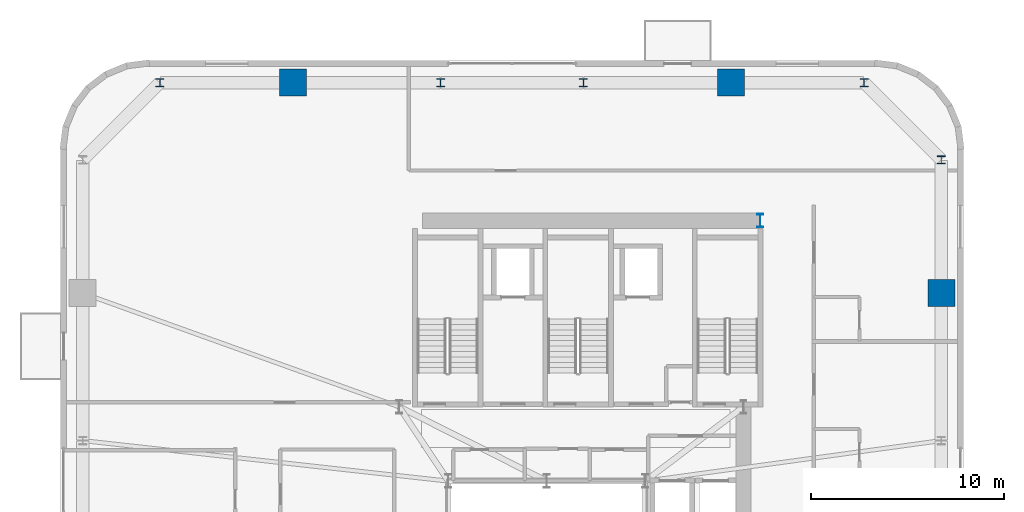
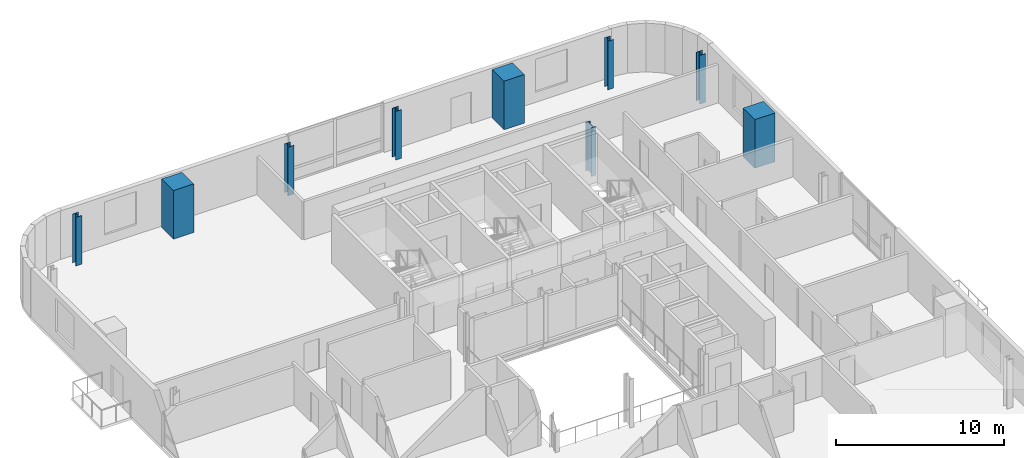
# One storey, part 2 of 16: 9 columns.
"""IFC4 building model written with IfcOpenShell, lengths in metres."""

from ifc_helpers import new_model, si_unit, direction, frame, origin, origin_2d, place, context, subcontext, project, spatial, rectangle, i_section, extrude, source, transform, mapped, material, material_profile, profile_set, type_object, element, save


model = new_model("IFC4")

# Units and contexts
model_context = context("Model", 3, precision=1e-05, world=origin(), true_north=direction((0.0, 1.0)))
body_context = subcontext(model_context, "Body", "Model", "MODEL_VIEW")
ifc_project = project(units=[si_unit("LENGTHUNIT", "METRE"), si_unit("AREAUNIT", "SQUARE_METRE"), si_unit("VOLUMEUNIT", "CUBIC_METRE"), si_unit("PLANEANGLEUNIT", "RADIAN"), si_unit("MASSUNIT", "GRAM", prefix="KILO")], contexts=[model_context])

# Site, building, storey
site_placement = place(None, origin())
site = spatial("IfcSite", under=ifc_project, at=site_placement, CompositionType="ELEMENT")
building_placement = place(site_placement, origin())
building = spatial("IfcBuilding", under=site, at=building_placement, Name="Vardaveli Station Tower", CompositionType="ELEMENT")
storey_placement = place(building_placement, frame((0.0, 0.0, 184.800048828125)))
storey = spatial("IfcBuildingStorey", under=building, at=storey_placement, Name="L47", CompositionType="ELEMENT", Elevation=184.800048828125)

# Columns
ifc_material_1 = material(Name="Structural steel S460M", Category="steel")
ifc_material_profile_1 = material_profile(ifc_material_1, i_section(OverallWidth=0.300048828125, OverallDepth=0.699951171875, WebThickness=0.01708984375, FlangeThickness=0.031982421875, FilletRadius=0.027099609375, at=origin_2d()), Name="HEB 700")
ifc_profile_set_1 = profile_set([ifc_material_profile_1], Name="Structural steel S460M")
column_type_1 = type_object("IfcColumnType", Name="COL-HEB700", PredefinedType="COLUMN", material=ifc_profile_set_1)
shared_shape_1 = source(origin(), body_context, "Body", "SweptSolid", [
    extrude(i_section(OverallWidth=0.300048828125, OverallDepth=0.699951171875, WebThickness=0.01708984375, FlangeThickness=0.031982421875, FilletRadius=0.027099609375, at=origin_2d()), origin(), (0.0, 0.0, 1.0), 3.530029296875),
])
column_placement = place(storey_placement, frame((47.3701171875, 40.300048828125, 0.0), z_axis=(0.0, 0.0, 1.0), x_axis=(1.0, 0.0, 0.0)))
element("IfcColumn", 1, at=column_placement, inside=storey, type_object=column_type_1, Name="COL-L47-CC3", PredefinedType="COLUMN", context=body_context, shape_type="MappedRepresentation", body=[
    mapped(shared_shape_1, transform((0.0, 0.0, 0.0), scale=1.0)),
])
ifc_material_2 = material(Name="Concrete C50/60", Category="concrete")
ifc_material_profile_2 = material_profile(ifc_material_2, rectangle(XDim=1.39990234375, YDim=1.39990234375, at=origin_2d()), Name="MC 1400x1400")
ifc_profile_set_2 = profile_set([ifc_material_profile_2], Name="Concrete C50/60")
column_type_2 = type_object("IfcColumnType", Name="COL-MC-1400", PredefinedType="COLUMN", material=ifc_profile_set_2)
shared_shape_2 = source(origin(), body_context, "Body", "SweptSolid", [
    extrude(rectangle(XDim=1.39990234375, YDim=1.39990234375, at=origin_2d()), origin(), (0.0, 0.0, 1.0), 3.530029296875),
])
for number, where, z_axis, x_axis, name in (
    (2, (56.75, 36.5400390625, 0.0), (0.0, 0.0, 1.0), (1.0, 0.0, 0.0), "COL-L47-MC4"),
    (3, (45.840087890625, 47.449951171875, 0.0), (0.0, 0.0, 1.0), (1.0, 0.0, 0.0), "COL-L47-MC5"),
    (4, (23.159912109375, 47.449951171875, 0.0), (0.0, 0.0, 1.0), (1.0, 0.0, 0.0), "COL-L47-MC6"),
):
    element("IfcColumn", number, at=place(storey_placement, frame(where, z_axis=z_axis, x_axis=x_axis)), inside=storey, type_object=column_type_2, Name=name, PredefinedType="COLUMN", context=body_context, shape_type="MappedRepresentation", body=[
        mapped(shared_shape_2, transform((0.0, 0.0, 0.0), scale=1.0)),
    ])
ifc_material_profile_3 = material_profile(ifc_material_1, i_section(OverallWidth=0.408935546875, OverallDepth=0.4169921875, WebThickness=0.021240234375, FlangeThickness=0.033203125, FilletRadius=0.014892578125, at=origin_2d()), Name="HD 400x347")
ifc_profile_set_3 = profile_set([ifc_material_profile_3], Name="Structural steel S460M")
column_type_3 = type_object("IfcColumnType", Name="COL-HD347", PredefinedType="COLUMN", material=ifc_profile_set_3)
shared_shape_3 = source(origin(), body_context, "Body", "SweptSolid", [
    extrude(i_section(OverallWidth=0.408935546875, OverallDepth=0.4169921875, WebThickness=0.021240234375, FlangeThickness=0.033203125, FilletRadius=0.014892578125, at=origin_2d()), origin(), (0.0, 0.0, 1.0), 3.530029296875),
])
for number, where, z_axis, x_axis, name in (
    (5, (56.75, 43.449951171875, 0.0), (0.0, 0.0, 1.0), (1.0, 0.0, 0.0), "COL-L47-PC08"),
    (6, (52.75, 47.449951171875, 0.0), (0.0, 0.0, 1.0), (1.0, 0.0, 0.0), "COL-L47-PC09"),
    (7, (38.199951171875, 47.449951171875, 0.0), (0.0, 0.0, 1.0), (1.0, 0.0, 0.0), "COL-L47-PC10"),
    (8, (30.800048828125, 47.449951171875, 0.0), (0.0, 0.0, 1.0), (1.0, 0.0, 0.0), "COL-L47-PC11"),
    (9, (16.25, 47.449951171875, 0.0), (0.0, 0.0, 1.0), (1.0, 0.0, 0.0), "COL-L47-PC12"),
):
    element("IfcColumn", number, at=place(storey_placement, frame(where, z_axis=z_axis, x_axis=x_axis)), inside=storey, type_object=column_type_3, Name=name, PredefinedType="COLUMN", context=body_context, shape_type="MappedRepresentation", body=[
        mapped(shared_shape_3, transform((0.0, 0.0, 0.0), scale=1.0)),
    ])

save(model, "model.ifc")
